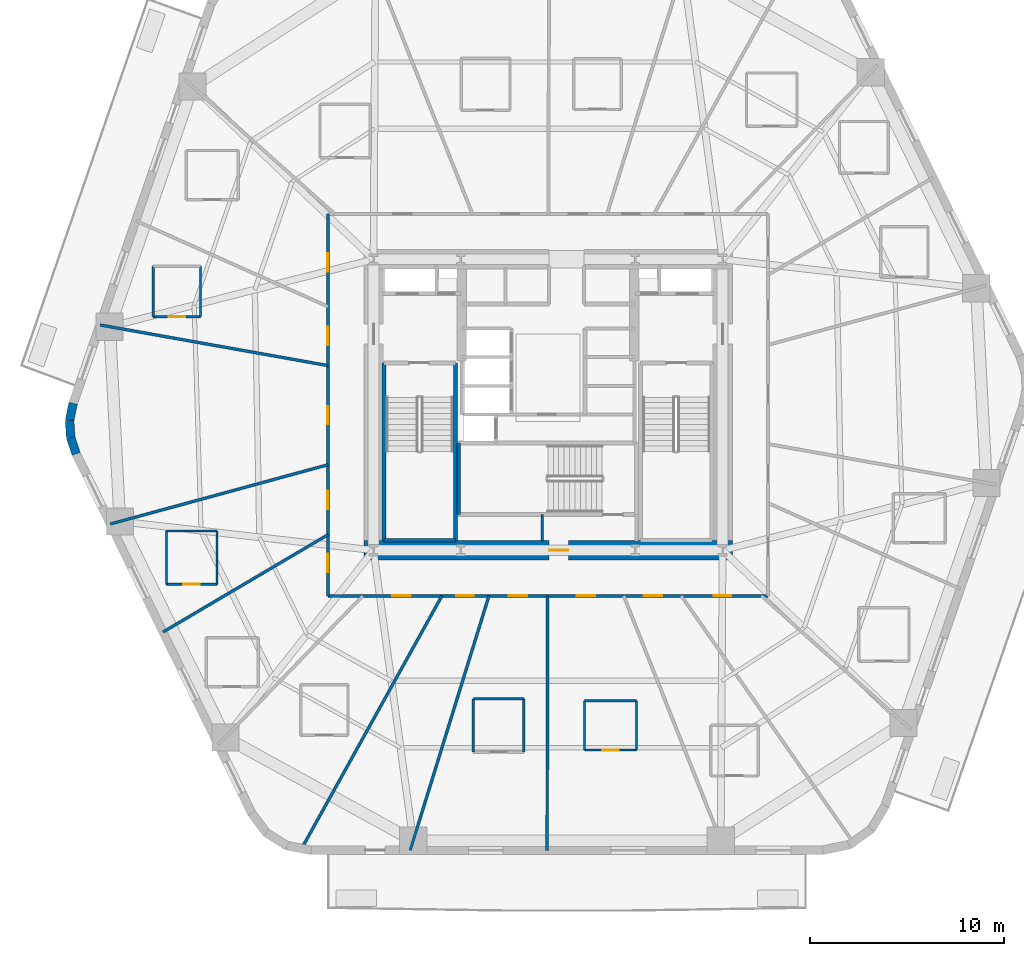
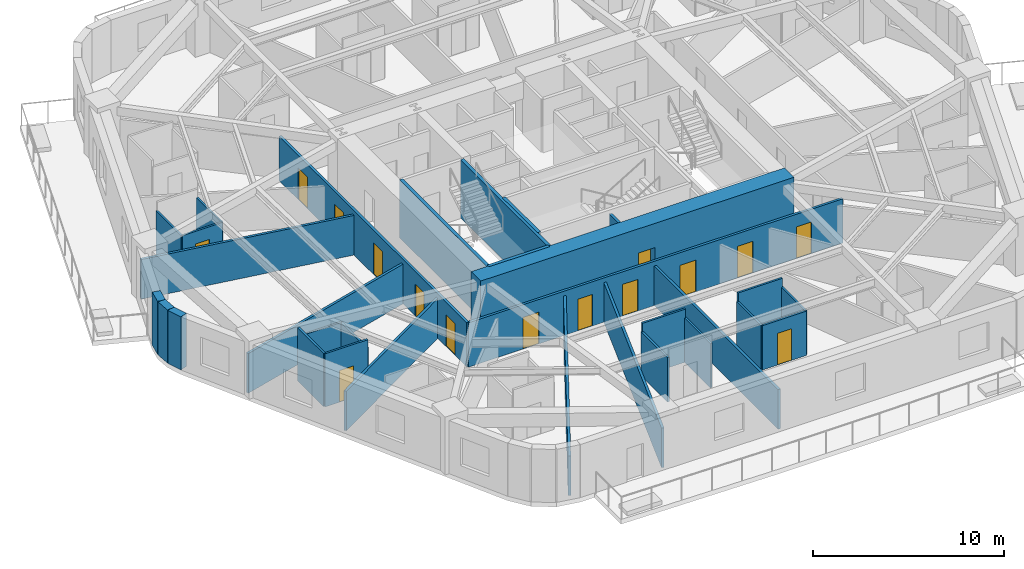
# One storey, part 3 of 11: 31 walls, 15 doors, 15 openings.
"""IFC4 building model written with IfcOpenShell, lengths in metres."""

import ifcopenshell
import ifcopenshell.guid

model = None  # the IFC model being written
_history = None  # IfcOwnerHistory: only IFC2X3 demands one
_inside = {}  # id of a spatial element -> (the spatial element, [elements in it])
_under = {}  # id of a project, library or spatial element -> (it, [spatial elements below it])
_declared = {}  # id of a project -> (the project, [libraries it declares])
_typed = {}  # id of a type object -> (the type object, [elements of that type])
_made_of = {}  # id of a material, layer set ... -> (it, [elements and type objects made of it])


def new_model(schema):
    """Start an empty IFC model of exactly this schema.

    Asked for "IFC4X3", IfcOpenShell would pick the latest addendum, in which some entities
    have other attributes; the version numbers below select the first issue.
    IFC2X3 requires an IfcOwnerHistory on every rooted entity: one is made here for all.
    """
    global model, _history
    if schema == "IFC4X3":
        model = ifcopenshell.file(schema_version=(4, 3, 0, 0))
    else:
        model = ifcopenshell.file(schema=schema)
    _inside.clear()
    _under.clear()
    _declared.clear()
    _typed.clear()
    _made_of.clear()
    _history = None
    if model.schema == "IFC2X3":
        org = make("IfcOrganization", Name="unknown")
        user = make(
            "IfcPersonAndOrganization",
            ThePerson=make("IfcPerson", FamilyName="unknown"),
            TheOrganization=org,
        )
        app = make(
            "IfcApplication",
            ApplicationDeveloper=org,
            Version="unknown",
            ApplicationFullName="unknown",
            ApplicationIdentifier="unknown",
        )
        _history = make(
            "IfcOwnerHistory",
            OwningUser=user,
            OwningApplication=app,
            ChangeAction="ADDED",
            CreationDate=0,
        )
    return model


def make(cls, **values):
    """One entity of the class cls with the attributes given. An attribute that is None is left unset."""
    return model.create_entity(
        cls, **{name: value for name, value in values.items() if value is not None}
    )


def rooted(cls, **values):
    """An entity with a GlobalId (a new one), such as an element, a storey or a relation."""
    return make(cls, GlobalId=ifcopenshell.guid.new(), OwnerHistory=_history, **values)


def si_unit(unit_type, name, prefix=None):
    """IfcSIUnit, for example si_unit("LENGTHUNIT", "METRE", prefix="MILLI")."""
    return make("IfcSIUnit", UnitType=unit_type, Prefix=prefix, Name=name)


def assignment(units):
    """IfcUnitAssignment: the units of a project."""
    return None if units is None else make("IfcUnitAssignment", Units=units)


def point(xyz):
    """IfcCartesianPoint."""
    return None if xyz is None else make("IfcCartesianPoint", Coordinates=xyz)


def direction(xyz):
    """IfcDirection."""
    return None if xyz is None else make("IfcDirection", DirectionRatios=xyz)


def frame(location, z_axis=None, x_axis=None):
    """IfcAxis2Placement3D, a coordinate frame: its origin and axes. An axis left out is left unset."""
    return make(
        "IfcAxis2Placement3D",
        Location=point(location),
        Axis=direction(z_axis),
        RefDirection=direction(x_axis),
    )


def frame_2d(location, x_axis=None):
    """IfcAxis2Placement2D, a coordinate frame in the plane: its origin and x axis."""
    return make(
        "IfcAxis2Placement2D", Location=point(location), RefDirection=direction(x_axis)
    )


def origin():
    """The frame at (0, 0, 0) with its axes left unset."""
    return frame((0.0, 0.0, 0.0))


def place(relative_to, where):
    """IfcLocalPlacement: puts the frame where relative to a parent placement (None: the world)."""
    return make(
        "IfcLocalPlacement", PlacementRelTo=relative_to, RelativePlacement=where
    )


def context(
    kind, dimensions, precision=None, world=None, true_north=None, identifier=None
):
    """IfcGeometricRepresentationContext, for example the 3D "Model" context."""
    return make(
        "IfcGeometricRepresentationContext",
        ContextIdentifier=identifier,
        ContextType=kind,
        CoordinateSpaceDimension=dimensions,
        Precision=precision,
        WorldCoordinateSystem=world,
        TrueNorth=true_north,
    )


def subcontext(parent, identifier, kind, view, scale=None):
    """IfcGeometricRepresentationSubContext, for example "Body" below "Model"."""
    return make(
        "IfcGeometricRepresentationSubContext",
        ContextIdentifier=identifier,
        ContextType=kind,
        ParentContext=parent,
        TargetScale=scale,
        TargetView=view,
    )


def project(units=None, contexts=None):
    """IfcProject with its units and contexts."""
    return rooted(
        "IfcProject",
        Name="project",
        RepresentationContexts=contexts,
        UnitsInContext=assignment(units),
    )


def spatial(cls, under=None, at=None, **own):
    """A site, building, storey or space (cls), placed at a placement, below another one or the project."""
    s = rooted(cls, ObjectPlacement=at, **own)
    if under is not None:
        _under.setdefault(under.id(), (under, []))[1].append(s)
    return s


def profile(cls, at=None, kind="AREA", **sizes):
    """A parametric profile (cls). Its sizes go by their IFC names, for example OverallWidth=200.0."""
    return make(cls, ProfileType=kind, Position=at, **sizes)


def rectangle(**sizes):
    """IfcRectangleProfileDef."""
    return profile("IfcRectangleProfileDef", **sizes)


def extrude(swept, where, along, depth):
    """IfcExtrudedAreaSolid: the profile swept, set in the frame where, extruded along a direction by depth."""
    return make(
        "IfcExtrudedAreaSolid",
        SweptArea=swept,
        Position=where,
        ExtrudedDirection=direction(along),
        Depth=depth,
    )


def shape(context_of_items, identifier, shape_type, items):
    """IfcShapeRepresentation: the items that make up one representation, for example the "Body"."""
    return make(
        "IfcShapeRepresentation",
        ContextOfItems=context_of_items,
        RepresentationIdentifier=identifier,
        RepresentationType=shape_type,
        Items=items,
    )


def material(Name=None, Category=None):
    """IfcMaterial."""
    return make("IfcMaterial", Name=Name, Category=Category)


def layer(
    of_material, thickness, ventilated=None, Name=None, Category=None, Priority=None
):
    """IfcMaterialLayer: one layer of a wall or slab, of a material (None: an air gap)."""
    return make(
        "IfcMaterialLayer",
        Material=of_material,
        LayerThickness=thickness,
        IsVentilated=ventilated,
        Name=Name,
        Category=Category,
        Priority=Priority,
    )


def layer_set(layers, Name=None):
    """IfcMaterialLayerSet."""
    return make("IfcMaterialLayerSet", MaterialLayers=layers, LayerSetName=Name)


def made_of(thing, what):
    """Note that an element or type object is made of a material, layer set ...; save() writes the relation."""
    if what is not None:
        _made_of.setdefault(what.id(), (what, []))[1].append(thing)
    return thing


def type_object(cls, material=None, **own):
    """A type object (cls), such as IfcWallType, which elements share."""
    return made_of(rooted(cls, **own), material)


def element(
    cls,
    number,
    at=None,
    inside=None,
    cuts=None,
    type_object=None,
    material=None,
    context=None,
    identifier="Body",
    shape_type=None,
    held_by="IfcProductDefinitionShape",
    body=None,
    shapes=None,
    **own,
):
    """One element of the class cls, such as IfcWall. Its Tag is "e" and its number.

    at: its placement. inside: the storey or other place that contains it. cuts: it is an
    opening in that element (IfcRelVoidsElement). A single representation is given by context,
    identifier, shape_type and body (its items); several are given by shapes. held_by: the class
    of the entity that holds the representations. save() writes the other relations.
    """
    e = rooted(cls, Tag="e%d" % number, ObjectPlacement=at, **own)
    if body is not None:
        shapes = [shape(context, identifier, shape_type, body)]
    if shapes is not None:
        e.Representation = make(held_by, Representations=shapes)
    if inside is not None:
        _inside.setdefault(inside.id(), (inside, []))[1].append(e)
    if cuts is not None:
        rooted(
            "IfcRelVoidsElement", RelatingBuildingElement=cuts, RelatedOpeningElement=e
        )
    if type_object is not None:
        _typed.setdefault(type_object.id(), (type_object, []))[1].append(e)
    return made_of(e, material)


def fill(opening, filler):
    """IfcRelFillsElement: the door or window that sits in an opening."""
    return rooted(
        "IfcRelFillsElement",
        RelatingOpeningElement=opening,
        RelatedBuildingElement=filler,
    )


def aggregate(whole, parts):
    """IfcRelAggregates: a whole, such as a stair, and the parts it consists of."""
    return rooted("IfcRelAggregates", RelatingObject=whole, RelatedObjects=parts)


def save(model, path):
    """Write the relations noted so far, then the file.

    IfcRelAggregates (storeys below a building ...), IfcRelContainedInSpatialStructure (elements
    in a storey), IfcRelDefinesByType, IfcRelAssociatesMaterial and IfcRelDeclares: one each for
    every whole, place, type object, material and project.
    """
    for whole, parts in _under.values():
        aggregate(whole, parts)
    for where, things in _inside.values():
        rooted(
            "IfcRelContainedInSpatialStructure",
            RelatedElements=things,
            RelatingStructure=where,
        )
    for kind, things in _typed.values():
        rooted("IfcRelDefinesByType", RelatedObjects=things, RelatingType=kind)
    for what, things in _made_of.values():
        rooted("IfcRelAssociatesMaterial", RelatedObjects=things, RelatingMaterial=what)
    for by, libraries in _declared.values():
        rooted("IfcRelDeclares", RelatingContext=by, RelatedDefinitions=libraries)
    model.write(path)


model = new_model("IFC4")

# Units and contexts
model_context = context("Model", 3, precision=1e-05, world=origin(), true_north=direction((0.0, 1.0)))
body_context = subcontext(model_context, "Body", "Model", "MODEL_VIEW")
ifc_project = project(units=[si_unit("LENGTHUNIT", "METRE"), si_unit("AREAUNIT", "SQUARE_METRE"), si_unit("VOLUMEUNIT", "CUBIC_METRE"), si_unit("PLANEANGLEUNIT", "RADIAN"), si_unit("MASSUNIT", "GRAM", prefix="KILO")], contexts=[model_context])

# Site, building, storey
site_placement = place(None, origin())
site = spatial("IfcSite", under=ifc_project, at=site_placement, CompositionType="ELEMENT")
building_placement = place(site_placement, origin())
building = spatial("IfcBuilding", under=site, at=building_placement, Name="Kilnhurst Terrace Hotel", CompositionType="ELEMENT")
storey_placement = place(building_placement, frame((0.0, 0.0, 41.60009765625)))
storey = spatial("IfcBuildingStorey", under=building, at=storey_placement, Name="L08", CompositionType="ELEMENT", Elevation=41.60009765625)

# Walls
ifc_material_1 = material(Name="Precast concrete C40/50", Category="concrete")
ifc_layer_1 = layer(ifc_material_1, 0.449951171875, Name="Precast concrete C40/50")
ifc_layer_set_1 = layer_set([ifc_layer_1], Name="Precast concrete C40/50")
wall_type_1 = type_object("IfcWallType", Name="WL-BRK-450", PredefinedType="SOLIDWALL", material=ifc_layer_set_1)
wall_1_placement = place(storey_placement, frame((-24.49560546875, 0.07666015625, 0.0), z_axis=(0.0, 0.0, 1.0), x_axis=(-0.199570594521, -0.979883451132, 0.0)))
element("IfcWall", 1, at=wall_1_placement, inside=storey, type_object=wall_type_1, Name="L08 Rounded Corner Brick Wall C6.1", PredefinedType="SOLIDWALL", context=body_context, shape_type="SweptSolid", body=[
    extrude(rectangle(XDim=0.896728515625, YDim=0.449951171875, at=frame_2d((0.4482421875, 0.0))), origin(), (0.0, 0.0, 1.0), 3.39990234375),
])
wall_2_placement = place(storey_placement, frame((-24.674560546875, -0.802001953125, 0.0), z_axis=(0.0, 0.0, 1.0), x_axis=(0.061188874166, -0.998126205286, 0.0)))
element("IfcWall", 2, at=wall_2_placement, inside=storey, type_object=wall_type_1, Name="L08 Rounded Corner Brick Wall C6.2", PredefinedType="SOLIDWALL", context=body_context, shape_type="SweptSolid", body=[
    extrude(rectangle(XDim=0.8818359375, YDim=0.449951171875, at=frame_2d((0.44091796875, 0.0))), origin(), (0.0, 0.0, 1.0), 3.39990234375),
])
wall_3_placement = place(storey_placement, frame((-24.62060546875, -1.68212890625, 0.0), z_axis=(0.0, 0.0, 1.0), x_axis=(0.317697451681, -0.948192137278, 0.0)))
element("IfcWall", 3, at=wall_3_placement, inside=storey, type_object=wall_type_1, Name="L08 Rounded Corner Brick Wall C6.3", PredefinedType="SOLIDWALL", context=body_context, shape_type="SweptSolid", body=[
    extrude(rectangle(XDim=0.896728515625, YDim=0.449951171875, at=frame_2d((0.4482421875, 0.0))), origin(), (0.0, 0.0, 1.0), 3.39990234375),
])

# Wall, openings, doors
ifc_material_2 = material(Name="Acoustic Double-Gypsum Corridor Partition Assembly")
ifc_layer_2 = layer(ifc_material_2, 0.14990234375, Name="Acoustic Double-Gypsum Corridor Partition Assembly")
ifc_layer_set_2 = layer_set([ifc_layer_2], Name="Acoustic Double-Gypsum Corridor Partition Assembly")
wall_type_2 = type_object("IfcWallType", Name="WL-COR-150", PredefinedType="PARTITIONING", material=ifc_layer_set_2)
wall_4_placement = place(storey_placement, frame((-11.35009765625, -9.85009765625, 0.0), z_axis=(0.0, 0.0, 1.0), x_axis=(0.0, 1.0, 0.0)))
wall_4 = element("IfcWall", 4, at=wall_4_placement, inside=storey, type_object=wall_type_2, Name="L08 Interior Wall WL-L08-COR-01", PredefinedType="PARTITIONING", context=body_context, shape_type="SweptSolid", body=[
    extrude(rectangle(XDim=19.7001953125, YDim=0.14990234375, at=frame_2d((9.85009765625, 0.0))), origin(), (0.0, 0.0, 1.0), 2.83984375),
])
opening_1_placement = place(wall_4_placement, frame((16.714111328125, 0.0, 0.0)))
opening_1 = element("IfcOpeningElement", 5, at=opening_1_placement, cuts=wall_4, Name="Opening D-60B", PredefinedType="OPENING", context=body_context, shape_type="SweptSolid", body=[
    extrude(rectangle(XDim=0.949951171875, YDim=2.030029296875, at=frame_2d((0.47509765625, 1.01513671875))), frame((0.0, 0.0849609375, 0.0), z_axis=(0.0, -1.0, 0.0), x_axis=(1.0, 0.0, 0.0)), (0.0, 0.0, 1.0), 0.169921875),
])
opening_2_placement = place(wall_4_placement, frame((12.931884765625, 0.0, 0.0)))
opening_2 = element("IfcOpeningElement", 6, at=opening_2_placement, cuts=wall_4, Name="Opening D-60B", PredefinedType="OPENING", context=body_context, shape_type="SweptSolid", body=[
    extrude(rectangle(XDim=0.949951171875, YDim=2.030029296875, at=frame_2d((0.47509765625, 1.01513671875))), frame((0.0, 0.0849609375, 0.0), z_axis=(0.0, -1.0, 0.0), x_axis=(1.0, 0.0, 0.0)), (0.0, 0.0, 1.0), 0.169921875),
])
opening_3_placement = place(wall_4_placement, frame((8.837890625, 0.0, 0.0)))
opening_3 = element("IfcOpeningElement", 7, at=opening_3_placement, cuts=wall_4, Name="Opening D-60B", PredefinedType="OPENING", context=body_context, shape_type="SweptSolid", body=[
    extrude(rectangle(XDim=0.949951171875, YDim=2.030029296875, at=frame_2d((0.47509765625, 1.01513671875))), frame((0.0, 0.0849609375, 0.0), z_axis=(0.0, -1.0, 0.0), x_axis=(1.0, 0.0, 0.0)), (0.0, 0.0, 1.0), 0.169921875),
])
opening_4_placement = place(wall_4_placement, frame((4.4609375, 0.0, 0.0)))
opening_4 = element("IfcOpeningElement", 8, at=opening_4_placement, cuts=wall_4, Name="Opening D-60B", PredefinedType="OPENING", context=body_context, shape_type="SweptSolid", body=[
    extrude(rectangle(XDim=0.949951171875, YDim=2.030029296875, at=frame_2d((0.47509765625, 1.01513671875))), frame((0.0, 0.0849609375, 0.0), z_axis=(0.0, -1.0, 0.0), x_axis=(1.0, 0.0, 0.0)), (0.0, 0.0, 1.0), 0.169921875),
])
opening_5_placement = place(wall_4_placement, frame((1.220947265625, 0.0, 0.0)))
opening_5 = element("IfcOpeningElement", 9, at=opening_5_placement, cuts=wall_4, Name="Opening D-60B", PredefinedType="OPENING", context=body_context, shape_type="SweptSolid", body=[
    extrude(rectangle(XDim=0.949951171875, YDim=2.030029296875, at=frame_2d((0.47509765625, 1.01513671875))), frame((0.0, 0.0849609375, 0.0), z_axis=(0.0, -1.0, 0.0), x_axis=(1.0, 0.0, 0.0)), (0.0, 0.0, 1.0), 0.169921875),
])
ifc_material_3 = material(Name="Acoustic Walnut Veneer Solid-Core Fire Door")
door_type_1 = type_object("IfcDoorType", Name="DR-FD60-950", OperationType="NOTDEFINED", PredefinedType="DOOR", material=ifc_material_3)
door_1_placement = place(opening_1_placement, origin())
door_1 = element("IfcDoor", 10, at=door_1_placement, inside=storey, type_object=door_type_1, Name="L08 Guest Room Entry Door 8", OperationType="SINGLE_SWING_RIGHT", OverallHeight=2.030029296875, OverallWidth=0.949951171875, PredefinedType="DOOR", context=body_context, shape_type="SweptSolid", body=[
    extrude(rectangle(XDim=0.949951171875, YDim=2.030029296875, at=frame_2d((0.47509765625, 1.01513671875))), frame((0.0, 0.02490234375, 0.0), z_axis=(0.0, -1.0, 0.0), x_axis=(1.0, 0.0, 0.0)), (0.0, 0.0, 1.0), 0.050048828125),
])
fill(opening_1, door_1)
door_2_placement = place(opening_2_placement, origin())
door_2 = element("IfcDoor", 11, at=door_2_placement, inside=storey, type_object=door_type_1, Name="L08 Guest Room Entry Door 9", OperationType="SINGLE_SWING_LEFT", OverallHeight=2.030029296875, OverallWidth=0.949951171875, PredefinedType="DOOR", context=body_context, shape_type="SweptSolid", body=[
    extrude(rectangle(XDim=0.949951171875, YDim=2.030029296875, at=frame_2d((0.47509765625, 1.01513671875))), frame((0.0, 0.02490234375, 0.0), z_axis=(0.0, -1.0, 0.0), x_axis=(1.0, 0.0, 0.0)), (0.0, 0.0, 1.0), 0.050048828125),
])
fill(opening_2, door_2)
door_3_placement = place(opening_3_placement, origin())
door_3 = element("IfcDoor", 12, at=door_3_placement, inside=storey, type_object=door_type_1, Name="L08 Club Reading Lounge Door", OperationType="SINGLE_SWING_RIGHT", OverallHeight=2.030029296875, OverallWidth=0.949951171875, PredefinedType="DOOR", context=body_context, shape_type="SweptSolid", body=[
    extrude(rectangle(XDim=0.949951171875, YDim=2.030029296875, at=frame_2d((0.47509765625, 1.01513671875))), frame((0.0, 0.02490234375, 0.0), z_axis=(0.0, -1.0, 0.0), x_axis=(1.0, 0.0, 0.0)), (0.0, 0.0, 1.0), 0.050048828125),
])
fill(opening_3, door_3)
door_4_placement = place(opening_4_placement, origin())
door_4 = element("IfcDoor", 13, at=door_4_placement, inside=storey, type_object=door_type_1, Name="L08 Guest Room Entry Door 11", OperationType="SINGLE_SWING_LEFT", OverallHeight=2.030029296875, OverallWidth=0.949951171875, PredefinedType="DOOR", context=body_context, shape_type="SweptSolid", body=[
    extrude(rectangle(XDim=0.949951171875, YDim=2.030029296875, at=frame_2d((0.47509765625, 1.01513671875))), frame((0.0, 0.02490234375, 0.0), z_axis=(0.0, -1.0, 0.0), x_axis=(1.0, 0.0, 0.0)), (0.0, 0.0, 1.0), 0.050048828125),
])
fill(opening_4, door_4)
door_5_placement = place(opening_5_placement, origin())
door_5 = element("IfcDoor", 14, at=door_5_placement, inside=storey, type_object=door_type_1, Name="L08 Guest Room Entry Door 12", OperationType="SINGLE_SWING_RIGHT", OverallHeight=2.030029296875, OverallWidth=0.949951171875, PredefinedType="DOOR", context=body_context, shape_type="SweptSolid", body=[
    extrude(rectangle(XDim=0.949951171875, YDim=2.030029296875, at=frame_2d((0.47509765625, 1.01513671875))), frame((0.0, 0.02490234375, 0.0), z_axis=(0.0, -1.0, 0.0), x_axis=(1.0, 0.0, 0.0)), (0.0, 0.0, 1.0), 0.050048828125),
])
fill(opening_5, door_5)

wall_5_placement = place(storey_placement, frame((11.35009765625, -9.85009765625, 0.0), z_axis=(0.0, 0.0, 1.0), x_axis=(-1.0, 0.0, 0.0)))
wall_5 = element("IfcWall", 15, at=wall_5_placement, inside=storey, type_object=wall_type_2, Name="L08 Interior Wall WL-L08-COR-04", PredefinedType="PARTITIONING", context=body_context, shape_type="SweptSolid", body=[
    extrude(rectangle(XDim=22.7001953125, YDim=0.14990234375, at=frame_2d((11.35009765625, 0.0))), origin(), (0.0, 0.0, 1.0), 2.83984375),
])
opening_6_placement = place(wall_5_placement, frame((18.43603515625, 0.0, 0.0)))
opening_6 = element("IfcOpeningElement", 16, at=opening_6_placement, cuts=wall_5, Name="Opening D-60B", PredefinedType="OPENING", context=body_context, shape_type="SweptSolid", body=[
    extrude(rectangle(XDim=0.949951171875, YDim=2.030029296875, at=frame_2d((0.47509765625, 1.01513671875))), frame((0.0, 0.0849609375, 0.0), z_axis=(0.0, -1.0, 0.0), x_axis=(1.0, 0.0, 0.0)), (0.0, 0.0, 1.0), 0.169921875),
])
opening_7_placement = place(wall_5_placement, frame((15.176025390625, 0.0, 0.0)))
opening_7 = element("IfcOpeningElement", 17, at=opening_7_placement, cuts=wall_5, Name="Opening D-60C", PredefinedType="OPENING", context=body_context, shape_type="SweptSolid", body=[
    extrude(rectangle(XDim=0.89990234375, YDim=2.030029296875, at=frame_2d((0.449951171875, 1.01513671875))), frame((0.0, 0.0849609375, 0.0), z_axis=(0.0, -1.0, 0.0), x_axis=(1.0, 0.0, 0.0)), (0.0, 0.0, 1.0), 0.169921875),
])
opening_8_placement = place(wall_5_placement, frame((12.4150390625, 0.0, 0.0)))
opening_8 = element("IfcOpeningElement", 18, at=opening_8_placement, cuts=wall_5, Name="Opening D-60B", PredefinedType="OPENING", context=body_context, shape_type="SweptSolid", body=[
    extrude(rectangle(XDim=0.949951171875, YDim=2.030029296875, at=frame_2d((0.47509765625, 1.01513671875))), frame((0.0, 0.0849609375, 0.0), z_axis=(0.0, -1.0, 0.0), x_axis=(1.0, 0.0, 0.0)), (0.0, 0.0, 1.0), 0.169921875),
])
opening_9_placement = place(wall_5_placement, frame((8.925048828125, 0.0, 0.0)))
opening_9 = element("IfcOpeningElement", 19, at=opening_9_placement, cuts=wall_5, Name="Opening D-60B", PredefinedType="OPENING", context=body_context, shape_type="SweptSolid", body=[
    extrude(rectangle(XDim=0.949951171875, YDim=2.030029296875, at=frame_2d((0.47509765625, 1.01513671875))), frame((0.0, 0.0849609375, 0.0), z_axis=(0.0, -1.0, 0.0), x_axis=(1.0, 0.0, 0.0)), (0.0, 0.0, 1.0), 0.169921875),
])
opening_10_placement = place(wall_5_placement, frame((5.462890625, 0.0, 0.0)))
opening_10 = element("IfcOpeningElement", 20, at=opening_10_placement, cuts=wall_5, Name="Opening D-60B", PredefinedType="OPENING", context=body_context, shape_type="SweptSolid", body=[
    extrude(rectangle(XDim=0.949951171875, YDim=2.030029296875, at=frame_2d((0.47509765625, 1.01513671875))), frame((0.0, 0.0849609375, 0.0), z_axis=(0.0, -1.0, 0.0), x_axis=(1.0, 0.0, 0.0)), (0.0, 0.0, 1.0), 0.169921875),
])
opening_11_placement = place(wall_5_placement, frame((1.909912109375, 0.0, 0.0)))
opening_11 = element("IfcOpeningElement", 21, at=opening_11_placement, cuts=wall_5, Name="Opening D-60C", PredefinedType="OPENING", context=body_context, shape_type="SweptSolid", body=[
    extrude(rectangle(XDim=0.89990234375, YDim=2.030029296875, at=frame_2d((0.449951171875, 1.01513671875))), frame((0.0, 0.0849609375, 0.0), z_axis=(0.0, -1.0, 0.0), x_axis=(1.0, 0.0, 0.0)), (0.0, 0.0, 1.0), 0.169921875),
])
ifc_material_4 = material(Name="Painted Solid-Core Service Fire Door")
door_type_2 = type_object("IfcDoorType", Name="DR-FD60-900", OperationType="NOTDEFINED", PredefinedType="DOOR", material=ifc_material_4)
door_6_placement = place(opening_7_placement, origin())
door_6 = element("IfcDoor", 22, at=door_6_placement, inside=storey, type_object=door_type_2, Name="L08 Executive Work Office Door 14", OperationType="SINGLE_SWING_RIGHT", OverallHeight=2.030029296875, OverallWidth=0.89990234375, PredefinedType="DOOR", context=body_context, shape_type="SweptSolid", body=[
    extrude(rectangle(XDim=0.89990234375, YDim=2.030029296875, at=frame_2d((0.449951171875, 1.01513671875))), frame((0.0, 0.02490234375, 0.0), z_axis=(0.0, -1.0, 0.0), x_axis=(1.0, 0.0, 0.0)), (0.0, 0.0, 1.0), 0.050048828125),
])
fill(opening_7, door_6)
door_7_placement = place(opening_11_placement, origin())
door_7 = element("IfcDoor", 23, at=door_7_placement, inside=storey, type_object=door_type_2, Name="L08 Botanical Reading Lounge Door 18", OperationType="SINGLE_SWING_RIGHT", OverallHeight=2.030029296875, OverallWidth=0.89990234375, PredefinedType="DOOR", context=body_context, shape_type="SweptSolid", body=[
    extrude(rectangle(XDim=0.89990234375, YDim=2.030029296875, at=frame_2d((0.449951171875, 1.01513671875))), frame((0.0, 0.02490234375, 0.0), z_axis=(0.0, -1.0, 0.0), x_axis=(1.0, 0.0, 0.0)), (0.0, 0.0, 1.0), 0.050048828125),
])
fill(opening_11, door_7)
door_8_placement = place(opening_6_placement, origin())
door_8 = element("IfcDoor", 24, at=door_8_placement, inside=storey, type_object=door_type_1, Name="L08 Guest Room Entry Door 13", OperationType="SINGLE_SWING_LEFT", OverallHeight=2.030029296875, OverallWidth=0.949951171875, PredefinedType="DOOR", context=body_context, shape_type="SweptSolid", body=[
    extrude(rectangle(XDim=0.949951171875, YDim=2.030029296875, at=frame_2d((0.47509765625, 1.01513671875))), frame((0.0, 0.02490234375, 0.0), z_axis=(0.0, -1.0, 0.0), x_axis=(1.0, 0.0, 0.0)), (0.0, 0.0, 1.0), 0.050048828125),
])
fill(opening_6, door_8)
door_9_placement = place(opening_8_placement, origin())
door_9 = element("IfcDoor", 25, at=door_9_placement, inside=storey, type_object=door_type_1, Name="L08 Guest Room Entry Door 15", OperationType="SINGLE_SWING_LEFT", OverallHeight=2.030029296875, OverallWidth=0.949951171875, PredefinedType="DOOR", context=body_context, shape_type="SweptSolid", body=[
    extrude(rectangle(XDim=0.949951171875, YDim=2.030029296875, at=frame_2d((0.47509765625, 1.01513671875))), frame((0.0, 0.02490234375, 0.0), z_axis=(0.0, -1.0, 0.0), x_axis=(1.0, 0.0, 0.0)), (0.0, 0.0, 1.0), 0.050048828125),
])
fill(opening_8, door_9)
door_10_placement = place(opening_9_placement, origin())
door_10 = element("IfcDoor", 26, at=door_10_placement, inside=storey, type_object=door_type_1, Name="L08 Executive Suite Entry Door 16", OperationType="SINGLE_SWING_RIGHT", OverallHeight=2.030029296875, OverallWidth=0.949951171875, PredefinedType="DOOR", context=body_context, shape_type="SweptSolid", body=[
    extrude(rectangle(XDim=0.949951171875, YDim=2.030029296875, at=frame_2d((0.47509765625, 1.01513671875))), frame((0.0, 0.02490234375, 0.0), z_axis=(0.0, -1.0, 0.0), x_axis=(1.0, 0.0, 0.0)), (0.0, 0.0, 1.0), 0.050048828125),
])
fill(opening_9, door_10)
door_11_placement = place(opening_10_placement, origin())
door_11 = element("IfcDoor", 27, at=door_11_placement, inside=storey, type_object=door_type_1, Name="L08 Guest Room Entry Door 17", OperationType="SINGLE_SWING_LEFT", OverallHeight=2.030029296875, OverallWidth=0.949951171875, PredefinedType="DOOR", context=body_context, shape_type="SweptSolid", body=[
    extrude(rectangle(XDim=0.949951171875, YDim=2.030029296875, at=frame_2d((0.47509765625, 1.01513671875))), frame((0.0, 0.02490234375, 0.0), z_axis=(0.0, -1.0, 0.0), x_axis=(1.0, 0.0, 0.0)), (0.0, 0.0, 1.0), 0.050048828125),
])
fill(opening_10, door_11)

# Wall, opening, door
ifc_material_5 = material(Name="Concrete C80/95", Category="concrete")
ifc_layer_3 = layer(ifc_material_5, 1.0, Name="Concrete C80/95")
ifc_layer_set_3 = layer_set([ifc_layer_3], Name="Concrete C80/95")
wall_type_3 = type_object("IfcWallType", Name="WL-CORE-1000", PredefinedType="SHEAR", material=ifc_layer_set_3)
wall_6_placement = place(storey_placement, frame((-9.5, -7.5, 0.0), z_axis=(0.0, 0.0, 1.0), x_axis=(1.0, 0.0, 0.0)))
wall_6 = element("IfcWall", 28, at=wall_6_placement, inside=storey, type_object=wall_type_3, Name="L08 Core South Shear Wall", PredefinedType="SHEAR", context=body_context, shape_type="SweptSolid", body=[
    extrude(rectangle(XDim=19.0, YDim=1.0, at=frame_2d((9.5, 0.0))), origin(), (0.0, 0.0, 1.0), 3.699951171875),
])
opening_12_placement = place(wall_6_placement, frame((9.550048828125, 0.0, 0.0)))
opening_12 = element("IfcOpeningElement", 29, at=opening_12_placement, cuts=wall_6, Name="Opening D-90B", PredefinedType="OPENING", context=body_context, shape_type="SweptSolid", body=[
    extrude(rectangle(XDim=1.0, YDim=2.14990234375, at=frame_2d((0.5, 1.074951171875))), frame((0.0, 0.510009765625, 0.0), z_axis=(0.0, -1.0, 0.0), x_axis=(1.0, 0.0, 0.0)), (0.0, 0.0, 1.0), 1.02001953125),
])
ifc_material_6 = material(Name="Painted Hollow Metal Steel ASTM A36 Fire Door", Category="steel")
door_type_3 = type_object("IfcDoorType", Name="DR-FD90-1000", OperationType="NOTDEFINED", PredefinedType="DOOR", material=ifc_material_6)
door_12_placement = place(opening_12_placement, origin())
door_12 = element("IfcDoor", 30, at=door_12_placement, inside=storey, type_object=door_type_3, Name="L08 Stair ST-3 Corridor Door", OperationType="SINGLE_SWING_RIGHT", OverallHeight=2.14990234375, OverallWidth=1.0, PredefinedType="DOOR", context=body_context, shape_type="SweptSolid", body=[
    extrude(rectangle(XDim=1.0, YDim=2.14990234375, at=frame_2d((0.5, 1.074951171875))), frame((0.0, 0.02490234375, 0.0), z_axis=(0.0, -1.0, 0.0), x_axis=(1.0, 0.0, 0.0)), (0.0, 0.0, 1.0), 0.050048828125),
])
fill(opening_12, door_12)

# Walls
ifc_material_7 = material(Name="STC-58 Acoustic Twin-Frame Guestroom Demising Partition")
ifc_layer_4 = layer(ifc_material_7, 0.14990234375, Name="STC-58 Acoustic Twin-Frame Guestroom Demising Partition")
ifc_layer_set_4 = layer_set([ifc_layer_4], Name="STC-58 Acoustic Twin-Frame Guestroom Demising Partition")
wall_type_4 = type_object("IfcWallType", Name="WL-DEM-150", PredefinedType="PARTITIONING", material=ifc_layer_set_4)
wall_7_placement = place(storey_placement, frame((-11.35009765625, 2.022705078125, 0.0), z_axis=(0.0, 0.0, 1.0), x_axis=(-0.984493741877, 0.17541970301, 0.0)))
element("IfcWall", 31, at=wall_7_placement, inside=storey, type_object=wall_type_4, Name="L08 Interior Wall WL-L08-DEM-COL06-10-1", PredefinedType="PARTITIONING", context=body_context, shape_type="SweptSolid", body=[
    extrude(rectangle(XDim=11.93701171875, YDim=0.14990234375, at=frame_2d((5.968505859375, 0.0))), origin(), (0.0, 0.0, 1.0), 2.539794921875),
])
wall_8_placement = place(storey_placement, frame((-11.35009765625, -3.0908203125, 0.0), z_axis=(0.0, 0.0, 1.0), x_axis=(-0.964859685283, -0.262765651704, 0.0)))
element("IfcWall", 32, at=wall_8_placement, inside=storey, type_object=wall_type_4, Name="L08 Interior Wall WL-L08-DEM-COL07-11-1", PredefinedType="PARTITIONING", context=body_context, shape_type="SweptSolid", body=[
    extrude(rectangle(XDim=11.62890625, YDim=0.14990234375, at=frame_2d((5.814453125, 0.0))), origin(), (0.0, 0.0, 1.0), 2.539794921875),
])
wall_9_placement = place(storey_placement, frame((-11.35009765625, -6.698486328125, 0.0), z_axis=(0.0, 0.0, 1.0), x_axis=(-0.861198232886, -0.508269223614, 0.0)))
element("IfcWall", 33, at=wall_9_placement, inside=storey, type_object=wall_type_4, Name="L08 Interior Wall WL-L08-DEM-MID07-12-1", PredefinedType="PARTITIONING", context=body_context, shape_type="SweptSolid", body=[
    extrude(rectangle(XDim=9.869873046875, YDim=0.14990234375, at=frame_2d((4.93505859375, 0.0))), origin(), (0.0, 0.0, 1.0), 2.539794921875),
])
wall_10_placement = place(storey_placement, frame((-5.470703125, -9.85009765625, 0.0), z_axis=(0.0, 0.0, 1.0), x_axis=(-0.48553323157, -0.874218211341, 0.0)))
element("IfcWall", 34, at=wall_10_placement, inside=storey, type_object=wall_type_4, Name="L08 Interior Wall WL-L08-DEM-MID08-14-1", PredefinedType="PARTITIONING", context=body_context, shape_type="SweptSolid", body=[
    extrude(rectangle(XDim=14.739501953125, YDim=0.14990234375, at=frame_2d((7.36962890625, 0.0))), origin(), (0.0, 0.0, 1.0), 2.539794921875),
])
wall_11_placement = place(storey_placement, frame((-3.047607421875, -9.85009765625, 0.0), z_axis=(0.0, 0.0, 1.0), x_axis=(-0.295553992761, -0.955326037206, 0.0)))
element("IfcWall", 35, at=wall_11_placement, inside=storey, type_object=wall_type_4, Name="L08 Interior Wall WL-L08-DEM-COL09-15-1", PredefinedType="PARTITIONING", context=body_context, shape_type="SweptSolid", body=[
    extrude(rectangle(XDim=13.73876953125, YDim=0.14990234375, at=frame_2d((6.869384765625, 0.0))), origin(), (0.0, 0.0, 1.0), 2.539794921875),
])
wall_12_placement = place(storey_placement, frame((-0.0205078125, -9.85009765625, 0.0), z_axis=(0.0, 0.0, 1.0), x_axis=(-0.002064727742, -0.999997868447, 0.0)))
element("IfcWall", 36, at=wall_12_placement, inside=storey, type_object=wall_type_4, Name="L08 Interior Wall WL-L08-DEM-MID09-16-1", PredefinedType="PARTITIONING", context=body_context, shape_type="SweptSolid", body=[
    extrude(rectangle(XDim=13.125, YDim=0.14990234375, at=frame_2d((6.5625, 0.0))), origin(), (0.0, 0.0, 1.0), 2.539794921875),
])

# Wall, opening, door
ifc_material_8 = material(Name="120 mm Moisture-Resistant Tile-Backed Bathroom Partition")
ifc_layer_5 = layer(ifc_material_8, 0.1201171875, Name="120 mm Moisture-Resistant Tile-Backed Bathroom Partition")
ifc_layer_set_5 = layer_set([ifc_layer_5], Name="120 mm Moisture-Resistant Tile-Backed Bathroom Partition")
wall_type_5 = type_object("IfcWallType", Name="WL-PART-120", PredefinedType="PARTITIONING", material=ifc_layer_set_5)
wall_13_placement = place(storey_placement, frame((-20.368896484375, 4.5439453125, 0.0), z_axis=(0.0, 0.0, 1.0), x_axis=(1.0, 0.0, 0.0)))
wall_13 = element("IfcWall", 37, at=wall_13_placement, inside=storey, type_object=wall_type_5, Name="L08 Interior Wall WL-L08-BTH-09-1", PredefinedType="PARTITIONING", context=body_context, shape_type="SweptSolid", body=[
    extrude(rectangle(XDim=2.43994140625, YDim=0.1201171875, at=frame_2d((1.219970703125, 0.0))), origin(), (0.0, 0.0, 1.0), 2.83984375),
])
opening_13_placement = place(wall_13_placement, frame((0.794921875, 0.0, 0.0)))
opening_13 = element("IfcOpeningElement", 38, at=opening_13_placement, cuts=wall_13, Name="Opening D-08A", PredefinedType="OPENING", context=body_context, shape_type="SweptSolid", body=[
    extrude(rectangle(XDim=0.85009765625, YDim=2.030029296875, at=frame_2d((0.425048828125, 1.01513671875))), frame((0.0, 0.070068359375, 0.0), z_axis=(0.0, -1.0, 0.0), x_axis=(1.0, 0.0, 0.0)), (0.0, 0.0, 1.0), 0.14013671875),
])
ifc_material_9 = material(Name="Moisture-Resistant Lacquered En-suite Bathroom Door")
door_type_4 = type_object("IfcDoorType", Name="DR-INT-850", OperationType="NOTDEFINED", PredefinedType="DOOR", material=ifc_material_9)
door_13_placement = place(opening_13_placement, origin())
door_13 = element("IfcDoor", 39, at=door_13_placement, inside=storey, type_object=door_type_4, Name="L08 En-suite Bathroom Door 9", OperationType="SINGLE_SWING_RIGHT", OverallHeight=2.030029296875, OverallWidth=0.85009765625, PredefinedType="DOOR", context=body_context, shape_type="SweptSolid", body=[
    extrude(rectangle(XDim=0.85009765625, YDim=2.030029296875, at=frame_2d((0.425048828125, 1.01513671875))), frame((0.0, 0.02490234375, 0.0), z_axis=(0.0, -1.0, 0.0), x_axis=(1.0, 0.0, 0.0)), (0.0, 0.0, 1.0), 0.050048828125),
])
fill(opening_13, door_13)

# Walls
for number, where, z_axis, x_axis, name in (
    (40, (-17.928955078125, 4.5439453125, 0.0), (0.0, 0.0, 1.0), (0.0, 1.0, 0.0), "L08 Interior Wall WL-L08-BTH-09-2"),
    (41, (-20.368896484375, 7.154052734375, 0.0), (0.0, 0.0, 1.0), (0.0, -1.0, 0.0), "L08 Interior Wall WL-L08-BTH-09-4"),
):
    element("IfcWall", number, at=place(storey_placement, frame(where, z_axis=z_axis, x_axis=x_axis)), inside=storey, type_object=wall_type_5, Name=name, PredefinedType="PARTITIONING", context=body_context, shape_type="SweptSolid", body=[
        extrude(rectangle(XDim=2.610107421875, YDim=0.1201171875, at=frame_2d((1.30517578125, 0.0))), origin(), (0.0, 0.0, 1.0), 2.83984375),
    ])

# Wall, opening, door
wall_14_placement = place(storey_placement, frame((-19.677978515625, -9.2548828125, 0.0), z_axis=(0.0, 0.0, 1.0), x_axis=(1.0, 0.0, 0.0)))
wall_14 = element("IfcWall", 42, at=wall_14_placement, inside=storey, type_object=wall_type_5, Name="L08 Interior Wall WL-L08-BTH-11-1", PredefinedType="PARTITIONING", context=body_context, shape_type="SweptSolid", body=[
    extrude(rectangle(XDim=2.60009765625, YDim=0.1201171875, at=frame_2d((1.300048828125, 0.0))), origin(), (0.0, 0.0, 1.0), 3.39990234375),
])
opening_14_placement = place(wall_14_placement, frame((0.875, 0.0, 0.0)))
opening_14 = element("IfcOpeningElement", 43, at=opening_14_placement, cuts=wall_14, Name="Opening D-08A", PredefinedType="OPENING", context=body_context, shape_type="SweptSolid", body=[
    extrude(rectangle(XDim=0.85009765625, YDim=2.030029296875, at=frame_2d((0.425048828125, 1.01513671875))), frame((0.0, 0.070068359375, 0.0), z_axis=(0.0, -1.0, 0.0), x_axis=(1.0, 0.0, 0.0)), (0.0, 0.0, 1.0), 0.14013671875),
])
door_14_placement = place(opening_14_placement, origin())
door_14 = element("IfcDoor", 44, at=door_14_placement, inside=storey, type_object=door_type_4, Name="L08 En-suite Bathroom Door 11", OperationType="SINGLE_SWING_RIGHT", OverallHeight=2.030029296875, OverallWidth=0.85009765625, PredefinedType="DOOR", context=body_context, shape_type="SweptSolid", body=[
    extrude(rectangle(XDim=0.85009765625, YDim=2.030029296875, at=frame_2d((0.425048828125, 1.01513671875))), frame((0.0, 0.02490234375, 0.0), z_axis=(0.0, -1.0, 0.0), x_axis=(1.0, 0.0, 0.0)), (0.0, 0.0, 1.0), 0.050048828125),
])
fill(opening_14, door_14)

# Walls
wall_15_placement = place(storey_placement, frame((-17.077880859375, -9.2548828125, 0.0), z_axis=(0.0, 0.0, 1.0), x_axis=(0.0, 1.0, 0.0)))
element("IfcWall", 45, at=wall_15_placement, inside=storey, type_object=wall_type_5, Name="L08 Interior Wall WL-L08-BTH-11-2", PredefinedType="PARTITIONING", context=body_context, shape_type="SweptSolid", body=[
    extrude(rectangle(XDim=2.75, YDim=0.1201171875, at=frame_2d((1.375, 0.0))), origin(), (0.0, 0.0, 1.0), 2.83984375),
])
wall_16_placement = place(storey_placement, frame((-17.077880859375, -6.5048828125, 0.0), z_axis=(0.0, 0.0, 1.0), x_axis=(-1.0, 0.0, 0.0)))
element("IfcWall", 46, at=wall_16_placement, inside=storey, type_object=wall_type_5, Name="L08 Interior Wall WL-L08-BTH-11-3", PredefinedType="PARTITIONING", context=body_context, shape_type="SweptSolid", body=[
    extrude(rectangle(XDim=2.60009765625, YDim=0.1201171875, at=frame_2d((1.300048828125, 0.0))), origin(), (0.0, 0.0, 1.0), 2.83984375),
])
wall_17_placement = place(storey_placement, frame((-19.677978515625, -6.5048828125, 0.0), z_axis=(0.0, 0.0, 1.0), x_axis=(0.0, -1.0, 0.0)))
element("IfcWall", 47, at=wall_17_placement, inside=storey, type_object=wall_type_5, Name="L08 Interior Wall WL-L08-BTH-11-4", PredefinedType="PARTITIONING", context=body_context, shape_type="SweptSolid", body=[
    extrude(rectangle(XDim=2.75, YDim=0.1201171875, at=frame_2d((1.375, 0.0))), origin(), (0.0, 0.0, 1.0), 3.39990234375),
])
wall_18_placement = place(storey_placement, frame((-1.2509765625, -17.912109375, 0.0), z_axis=(0.0, 0.0, 1.0), x_axis=(0.0, 1.0, 0.0)))
element("IfcWall", 48, at=wall_18_placement, inside=storey, type_object=wall_type_5, Name="L08 Interior Wall WL-L08-BTH-15-2", PredefinedType="PARTITIONING", context=body_context, shape_type="SweptSolid", body=[
    extrude(rectangle(XDim=2.75, YDim=0.1201171875, at=frame_2d((1.375, 0.0))), origin(), (0.0, 0.0, 1.0), 2.84033203125),
])
wall_19_placement = place(storey_placement, frame((-1.2509765625, -15.162109375, 0.0), z_axis=(0.0, 0.0, 1.0), x_axis=(-1.0, 0.0, 0.0)))
element("IfcWall", 49, at=wall_19_placement, inside=storey, type_object=wall_type_5, Name="L08 Interior Wall WL-L08-BTH-15-3", PredefinedType="PARTITIONING", context=body_context, shape_type="SweptSolid", body=[
    extrude(rectangle(XDim=2.60009765625, YDim=0.1201171875, at=frame_2d((1.300048828125, 0.0))), origin(), (0.0, 0.0, 1.0), 3.39990234375),
])
wall_20_placement = place(storey_placement, frame((-3.85107421875, -15.162109375, 0.0), z_axis=(0.0, 0.0, 1.0), x_axis=(0.0, -1.0, 0.0)))
element("IfcWall", 50, at=wall_20_placement, inside=storey, type_object=wall_type_5, Name="L08 Interior Wall WL-L08-BTH-15-4", PredefinedType="PARTITIONING", context=body_context, shape_type="SweptSolid", body=[
    extrude(rectangle(XDim=2.75, YDim=0.1201171875, at=frame_2d((1.375, 0.0))), origin(), (0.0, 0.0, 1.0), 2.84033203125),
])

# Wall, opening, door
wall_21_placement = place(storey_placement, frame((1.87890625, -17.806884765625, 0.0), z_axis=(0.0, 0.0, 1.0), x_axis=(1.0, 0.0, 0.0)))
wall_21 = element("IfcWall", 51, at=wall_21_placement, inside=storey, type_object=wall_type_5, Name="L08 Interior Wall WL-L08-BTH-16-1", PredefinedType="PARTITIONING", context=body_context, shape_type="SweptSolid", body=[
    extrude(rectangle(XDim=2.68017578125, YDim=0.1201171875, at=frame_2d((1.340087890625, 0.0))), origin(), (0.0, 0.0, 1.0), 2.84033203125),
])
opening_15_placement = place(wall_21_placement, frame((0.9150390625, 0.0, 0.0)))
opening_15 = element("IfcOpeningElement", 52, at=opening_15_placement, cuts=wall_21, Name="Opening D-08A", PredefinedType="OPENING", context=body_context, shape_type="SweptSolid", body=[
    extrude(rectangle(XDim=0.85009765625, YDim=2.030029296875, at=frame_2d((0.425048828125, 1.01513671875))), frame((0.0, 0.070068359375, 0.0), z_axis=(0.0, -1.0, 0.0), x_axis=(1.0, 0.0, 0.0)), (0.0, 0.0, 1.0), 0.14013671875),
])
door_15_placement = place(opening_15_placement, origin())
door_15 = element("IfcDoor", 53, at=door_15_placement, inside=storey, type_object=door_type_4, Name="L08 En-suite Bathroom Door 16", OperationType="SINGLE_SWING_LEFT", OverallHeight=2.030029296875, OverallWidth=0.85009765625, PredefinedType="DOOR", context=body_context, shape_type="SweptSolid", body=[
    extrude(rectangle(XDim=0.85009765625, YDim=2.030029296875, at=frame_2d((0.425048828125, 1.01513671875))), frame((0.0, 0.02490234375, 0.0), z_axis=(0.0, -1.0, 0.0), x_axis=(1.0, 0.0, 0.0)), (0.0, 0.0, 1.0), 0.050048828125),
])
fill(opening_15, door_15)

# Walls
wall_22_placement = place(storey_placement, frame((4.55908203125, -17.806884765625, 0.0), z_axis=(0.0, 0.0, 1.0), x_axis=(0.0, 1.0, 0.0)))
element("IfcWall", 54, at=wall_22_placement, inside=storey, type_object=wall_type_5, Name="L08 Interior Wall WL-L08-BTH-16-2", PredefinedType="PARTITIONING", context=body_context, shape_type="SweptSolid", body=[
    extrude(rectangle(XDim=2.539794921875, YDim=0.1201171875, at=frame_2d((1.27001953125, 0.0))), origin(), (0.0, 0.0, 1.0), 2.84033203125),
])
wall_23_placement = place(storey_placement, frame((4.55908203125, -15.26708984375, 0.0), z_axis=(0.0, 0.0, 1.0), x_axis=(-1.0, 0.0, 0.0)))
element("IfcWall", 55, at=wall_23_placement, inside=storey, type_object=wall_type_5, Name="L08 Interior Wall WL-L08-BTH-16-3", PredefinedType="PARTITIONING", context=body_context, shape_type="SweptSolid", body=[
    extrude(rectangle(XDim=2.68017578125, YDim=0.1201171875, at=frame_2d((1.340087890625, 0.0))), origin(), (0.0, 0.0, 1.0), 3.39990234375),
])
wall_24_placement = place(storey_placement, frame((1.87890625, -15.26708984375, 0.0), z_axis=(0.0, 0.0, 1.0), x_axis=(0.0, -1.0, 0.0)))
element("IfcWall", 56, at=wall_24_placement, inside=storey, type_object=wall_type_5, Name="L08 Interior Wall WL-L08-BTH-16-4", PredefinedType="PARTITIONING", context=body_context, shape_type="SweptSolid", body=[
    extrude(rectangle(XDim=2.539794921875, YDim=0.1201171875, at=frame_2d((1.27001953125, 0.0))), origin(), (0.0, 0.0, 1.0), 2.84033203125),
])
ifc_material_10 = material(Name="Fire-Rated Gypsum Shaftliner Assembly")
ifc_layer_6 = layer(ifc_material_10, 0.14990234375, Name="Fire-Rated Gypsum Shaftliner Assembly")
ifc_layer_set_6 = layer_set([ifc_layer_6], Name="Fire-Rated Gypsum Shaftliner Assembly")
wall_type_6 = type_object("IfcWallType", Name="WL-SHAFT-150", PredefinedType="PARTITIONING", material=ifc_layer_set_6)
wall_25_placement = place(storey_placement, frame((-0.300048828125, -7.02001953125, 0.0), z_axis=(0.0, 0.0, 1.0), x_axis=(0.0, 1.0, 0.0)))
element("IfcWall", 57, at=wall_25_placement, inside=storey, type_object=wall_type_6, Name="L08 Interior Wall WL-L08-ST3-PSGW", PredefinedType="PARTITIONING", context=body_context, shape_type="SweptSolid", body=[
    extrude(rectangle(XDim=1.362060546875, YDim=0.14990234375, at=frame_2d((0.68115234375, 0.0))), origin(), (0.0, 0.0, 1.0), 3.39990234375),
])
ifc_material_11 = material(Name="Concrete C50/60", Category="concrete")
ifc_layer_7 = layer(ifc_material_11, 0.199951171875, Name="Concrete C50/60")
ifc_layer_set_7 = layer_set([ifc_layer_7], Name="Concrete C50/60")
wall_type_7 = type_object("IfcWallType", Name="WL-STAIR-RC-200", PredefinedType="SHEAR", material=ifc_layer_set_7)
for number, where, z_axis, x_axis, name in (
    (58, (-8.4580078125, -6.985107421875, 0.0), (0.0, 0.0, 1.0), (0.0, 1.0, 0.0), "L08 Structural Stair Shaft Wall WL-L08-ST1-W"),
    (59, (-4.77197265625, -6.985107421875, 0.0), (0.0, 0.0, 1.0), (0.0, 1.0, 0.0), "L08 Structural Stair Shaft Wall WL-L08-ST1-E"),
):
    element("IfcWall", number, at=place(storey_placement, frame(where, z_axis=z_axis, x_axis=x_axis)), inside=storey, type_object=wall_type_7, Name=name, PredefinedType="SHEAR", context=body_context, shape_type="SweptSolid", body=[
        extrude(rectangle(XDim=9.14306640625, YDim=0.199951171875, at=frame_2d((4.571533203125, 0.0))), origin(), (0.0, 0.0, 1.0), 3.699951171875),
    ])
for number, where, z_axis, x_axis, name in (
    (60, (-8.4580078125, -6.985107421875, 0.0), (0.0, 0.0, 1.0), (1.0, 0.0, 0.0), "L08 Structural Stair Shaft Wall WL-L08-ST1-S"),
    (61, (-4.60791015625, -5.657958984375, 0.0), (0.0, 0.0, 1.0), (0.0, 1.0, 0.0), "L08 Structural Stair Shaft Wall WL-L08-ST3-W"),
):
    element("IfcWall", number, at=place(storey_placement, frame(where, z_axis=z_axis, x_axis=x_axis)), inside=storey, type_object=wall_type_7, Name=name, PredefinedType="SHEAR", context=body_context, shape_type="SweptSolid", body=[
        extrude(rectangle(XDim=3.68603515625, YDim=0.199951171875, at=frame_2d((1.843017578125, 0.0))), origin(), (0.0, 0.0, 1.0), 3.699951171875),
    ])

save(model, "model.ifc")
